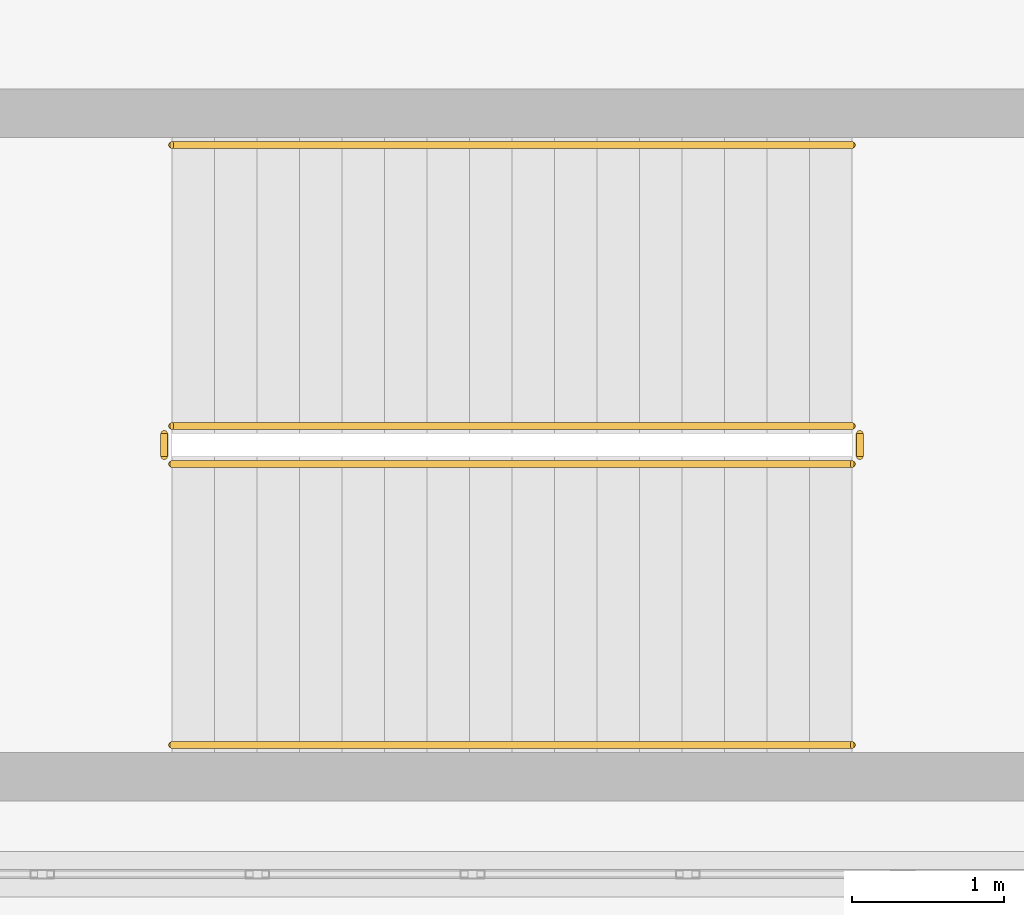
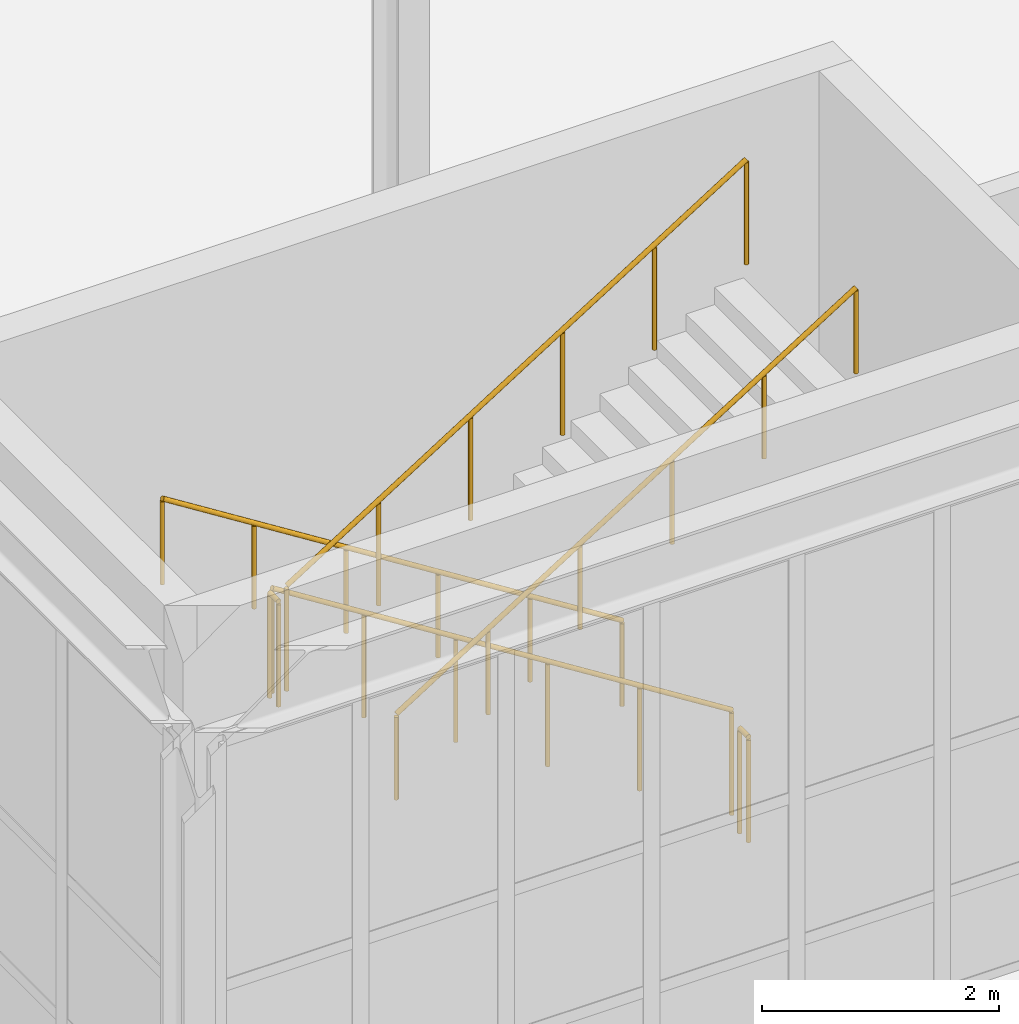
# One storey, part 130 of 146: 6 railings.
"""IFC4 building model written with IfcOpenShell, lengths in metres."""

from ifc_helpers import new_model, si_unit, direction, frame, origin, origin_2d, place, context, subcontext, project, spatial, circle, extrude, material, type_object, element, save


model = new_model("IFC4")

# Units and contexts
model_context = context("Model", 3, precision=1e-05, world=origin(), true_north=direction((0.0, 1.0)))
body_context = subcontext(model_context, "Body", "Model", "MODEL_VIEW")
ifc_project = project(units=[si_unit("LENGTHUNIT", "METRE"), si_unit("AREAUNIT", "SQUARE_METRE"), si_unit("VOLUMEUNIT", "CUBIC_METRE"), si_unit("PLANEANGLEUNIT", "RADIAN"), si_unit("MASSUNIT", "GRAM", prefix="KILO")], contexts=[model_context])

# Site, building, storey
site_placement = place(None, origin())
site = spatial("IfcSite", under=ifc_project, at=site_placement, CompositionType="ELEMENT")
building_placement = place(site_placement, origin())
building = spatial("IfcBuilding", under=site, at=building_placement, Name="Kaldris Quays Convention Centre", CompositionType="ELEMENT")
storey_placement = place(building_placement, origin())
storey = spatial("IfcBuildingStorey", under=building, at=storey_placement, Name="L00", CompositionType="ELEMENT", Elevation=0.0)

# Railings
ifc_material_1 = material(Name="Steel S355J2", Category="steel")
railing_type_1 = type_object("IfcRailingType", Name="INTERIOR GUARDRAIL GR01", PredefinedType="GUARDRAIL", material=ifc_material_1)
railing_1_placement = place(storey_placement, frame((27.0, 18.949951171875, 0.176513671875)))
element("IfcRailing", 1, at=railing_1_placement, inside=storey, type_object=railing_type_1, Name="L00 ST05 Stair Guardrail 1", PredefinedType="GUARDRAIL", context=body_context, shape_type="SweptSolid", body=[
    extrude(circle(Radius=0.02392578125, at=origin_2d()), frame((0.0, 0.0, 1.076171875), z_axis=(-0.845997938375, 0.0, 0.533186166611), x_axis=(0.0, -1.0, 0.0)), (0.0, 0.0, 1.0), 5.29541015625),
    extrude(circle(Radius=0.02099609375, at=origin_2d()), origin(), (0.0, 0.0, 1.0), 1.052001953125),
    extrude(circle(Radius=0.02099609375, at=origin_2d()), frame((-0.89599609375, 0.0, 0.564697265625)), (0.0, 0.0, 1.0), 1.052001953125),
    extrude(circle(Radius=0.02099609375, at=origin_2d()), frame((-1.7919921875, 0.0, 1.12939453125)), (0.0, 0.0, 1.0), 1.052001953125),
    extrude(circle(Radius=0.02099609375, at=origin_2d()), frame((-2.68798828125, 0.0, 1.694091796875)), (0.0, 0.0, 1.0), 1.052001953125),
    extrude(circle(Radius=0.02099609375, at=origin_2d()), frame((-3.583984375, 0.0, 2.2587890625)), (0.0, 0.0, 1.0), 1.052001953125),
    extrude(circle(Radius=0.02099609375, at=origin_2d()), frame((-4.47998046875, 0.0, 2.823486328125)), (0.0, 0.0, 1.0), 1.052001953125),
])
railing_2_placement = place(storey_placement, frame((22.469970703125, 18.89990234375, 3.0)))
element("IfcRailing", 2, at=railing_2_placement, inside=storey, type_object=railing_type_1, Name="L00 ST05 Stair Guardrail 2", PredefinedType="GUARDRAIL", context=body_context, shape_type="SweptSolid", body=[
    extrude(circle(Radius=0.02392578125, at=origin_2d()), frame((0.0, 0.0, 1.076171875), z_axis=(0.0, -1.0, 0.0), x_axis=(1.0, 0.0, 0.0)), (0.0, 0.0, 1.0), 0.14990234375),
    extrude(circle(Radius=0.02099609375, at=origin_2d()), origin(), (0.0, 0.0, 1.0), 1.052001953125),
    extrude(circle(Radius=0.02099609375, at=origin_2d()), frame((0.0, -0.14990234375, 0.0)), (0.0, 0.0, 1.0), 1.052001953125),
])
railing_3_placement = place(storey_placement, frame((22.52001953125, 18.699951171875, 3.176513671875)))
element("IfcRailing", 3, at=railing_3_placement, inside=storey, type_object=railing_type_1, Name="L00 ST05 Stair Guardrail 3", PredefinedType="GUARDRAIL", context=body_context, shape_type="SweptSolid", body=[
    extrude(circle(Radius=0.02392578125, at=origin_2d()), frame((0.0, 0.0, 1.076171875), z_axis=(0.845997938375, 0.0, 0.533186166611), x_axis=(0.0, 1.0, 0.0)), (0.0, 0.0, 1.0), 5.29541015625),
    extrude(circle(Radius=0.02099609375, at=origin_2d()), origin(), (0.0, 0.0, 1.0), 1.052001953125),
    extrude(circle(Radius=0.02099609375, at=origin_2d()), frame((0.89599609375, 0.0, 0.564697265625)), (0.0, 0.0, 1.0), 1.052001953125),
    extrude(circle(Radius=0.02099609375, at=origin_2d()), frame((1.7919921875, 0.0, 1.12939453125)), (0.0, 0.0, 1.0), 1.052001953125),
    extrude(circle(Radius=0.02099609375, at=origin_2d()), frame((2.68798828125, 0.0, 1.694091796875)), (0.0, 0.0, 1.0), 1.052001953125),
    extrude(circle(Radius=0.02099609375, at=origin_2d()), frame((3.583984375, 0.0, 2.2587890625)), (0.0, 0.0, 1.0), 1.052001953125),
    extrude(circle(Radius=0.02099609375, at=origin_2d()), frame((4.47998046875, 0.0, 2.823486328125)), (0.0, 0.0, 1.0), 1.052001953125),
])
railing_4_placement = place(storey_placement, frame((27.050048828125, 18.89990234375, 0.0)))
element("IfcRailing", 4, at=railing_4_placement, inside=storey, type_object=railing_type_1, Name="L00 ST05 Stair Guardrail 4", PredefinedType="GUARDRAIL", context=body_context, shape_type="SweptSolid", body=[
    extrude(circle(Radius=0.02392578125, at=origin_2d()), frame((0.0, 0.0, 1.076171875), z_axis=(0.0, -1.0, 0.0), x_axis=(1.0, 0.0, 0.0)), (0.0, 0.0, 1.0), 0.14990234375),
    extrude(circle(Radius=0.02099609375, at=origin_2d()), origin(), (0.0, 0.0, 1.0), 1.052001953125),
    extrude(circle(Radius=0.02099609375, at=origin_2d()), frame((0.0, -0.14990234375, 0.0)), (0.0, 0.0, 1.0), 1.052001953125),
])
ifc_material_2 = material(Name="Stainless steel 1.4301", Category="steel")
railing_type_2 = type_object("IfcRailingType", Name="STAIR HANDRAIL HR01", PredefinedType="HANDRAIL", material=ifc_material_2)
railing_5_placement = place(storey_placement, frame((27.0, 20.800048828125, 0.176513671875)))
element("IfcRailing", 5, at=railing_5_placement, inside=storey, type_object=railing_type_2, Name="L00 ST05 Flight Handrail 1", PredefinedType="HANDRAIL", context=body_context, shape_type="SweptSolid", body=[
    extrude(circle(Radius=0.02392578125, at=origin_2d()), frame((0.0, 0.0, 0.8759765625), z_axis=(-0.845997938375, 0.0, 0.533186166611), x_axis=(0.0, -1.0, 0.0)), (0.0, 0.0, 1.0), 5.29541015625),
    extrude(circle(Radius=0.02099609375, at=origin_2d()), origin(), (0.0, 0.0, 1.0), 0.851806640625),
    extrude(circle(Radius=0.02099609375, at=origin_2d()), frame((-0.89599609375, 0.0, 0.564697265625)), (0.0, 0.0, 1.0), 0.851806640625),
    extrude(circle(Radius=0.02099609375, at=origin_2d()), frame((-1.7919921875, 0.0, 1.12939453125)), (0.0, 0.0, 1.0), 0.851806640625),
    extrude(circle(Radius=0.02099609375, at=origin_2d()), frame((-2.68798828125, 0.0, 1.694091796875)), (0.0, 0.0, 1.0), 0.851806640625),
    extrude(circle(Radius=0.02099609375, at=origin_2d()), frame((-3.583984375, 0.0, 2.2587890625)), (0.0, 0.0, 1.0), 0.851806640625),
    extrude(circle(Radius=0.02099609375, at=origin_2d()), frame((-4.47998046875, 0.0, 2.823486328125)), (0.0, 0.0, 1.0), 0.851806640625),
])
railing_6_placement = place(storey_placement, frame((22.52001953125, 16.85009765625, 3.176513671875)))
element("IfcRailing", 6, at=railing_6_placement, inside=storey, type_object=railing_type_2, Name="L00 ST05 Flight Handrail 2", PredefinedType="HANDRAIL", context=body_context, shape_type="SweptSolid", body=[
    extrude(circle(Radius=0.02392578125, at=origin_2d()), frame((0.0, 0.0, 0.8759765625), z_axis=(0.845997938375, 0.0, 0.533186166611), x_axis=(0.0, 1.0, 0.0)), (0.0, 0.0, 1.0), 5.29541015625),
    extrude(circle(Radius=0.02099609375, at=origin_2d()), origin(), (0.0, 0.0, 1.0), 0.851806640625),
    extrude(circle(Radius=0.02099609375, at=origin_2d()), frame((0.89599609375, 0.0, 0.564697265625)), (0.0, 0.0, 1.0), 0.851806640625),
    extrude(circle(Radius=0.02099609375, at=origin_2d()), frame((1.7919921875, 0.0, 1.12939453125)), (0.0, 0.0, 1.0), 0.851806640625),
    extrude(circle(Radius=0.02099609375, at=origin_2d()), frame((2.68798828125, 0.0, 1.694091796875)), (0.0, 0.0, 1.0), 0.851806640625),
    extrude(circle(Radius=0.02099609375, at=origin_2d()), frame((3.583984375, 0.0, 2.2587890625)), (0.0, 0.0, 1.0), 0.851806640625),
    extrude(circle(Radius=0.02099609375, at=origin_2d()), frame((4.47998046875, 0.0, 2.823486328125)), (0.0, 0.0, 1.0), 0.851806640625),
])

save(model, "model.ifc")
